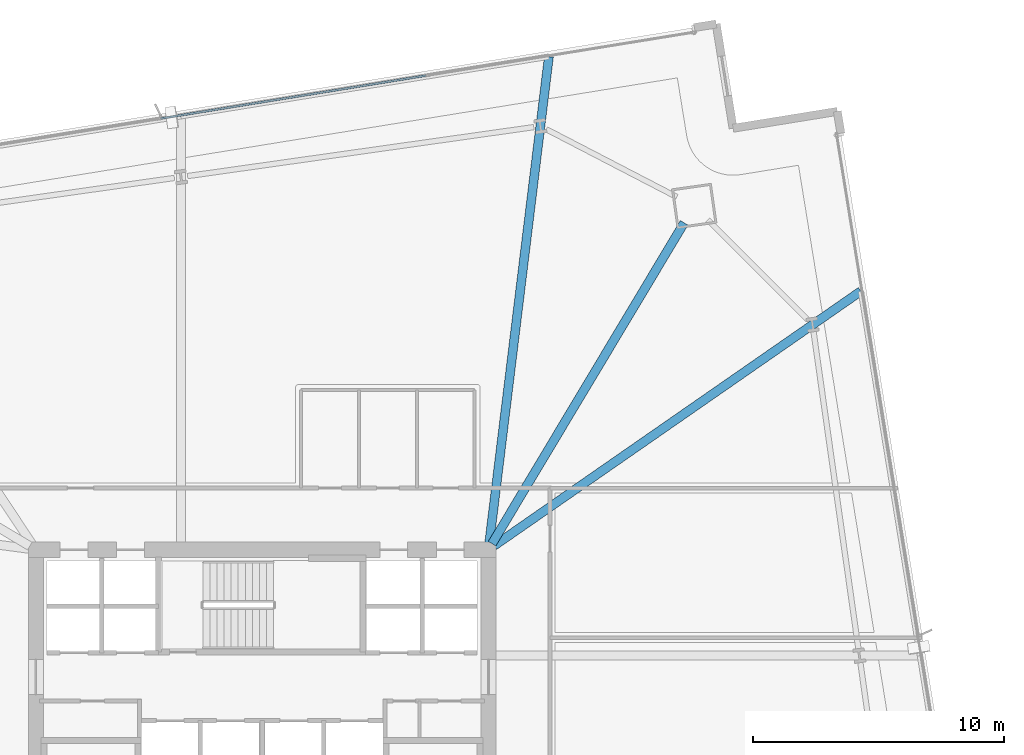
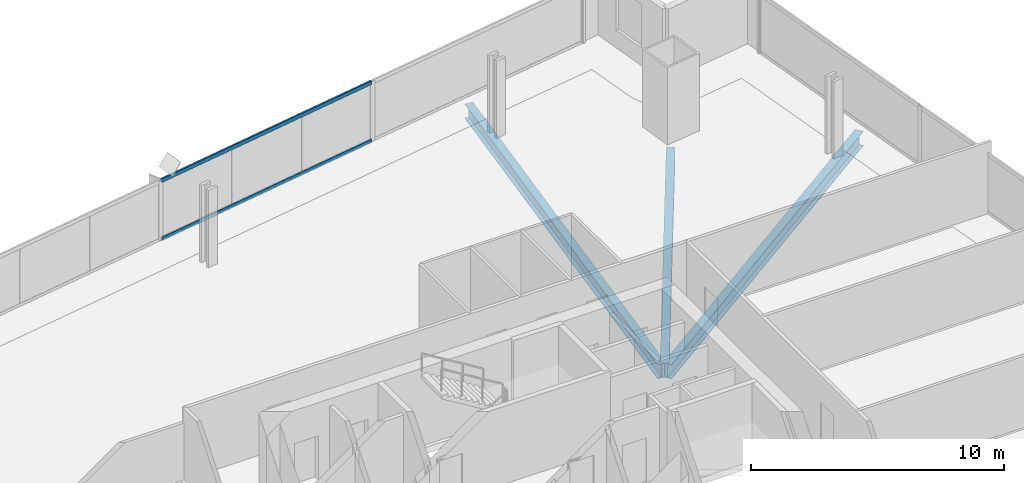
# One storey, part 20 of 33: 3 beams, 2 members, 1 element without a shape of its own.
"""IFC4 building model written with IfcOpenShell, lengths in metres."""

from ifc_helpers import new_model, si_unit, direction, frame, origin, origin_2d, place, context, subcontext, project, spatial, hollow_rectangle, i_section, extrude, material, material_profile, profile_set, type_object, element, aggregate, save


model = new_model("IFC4")

# Units and contexts
model_context = context("Model", 3, precision=1e-05, world=origin(), true_north=direction((0.0, 1.0)))
body_context = subcontext(model_context, "Body", "Model", "MODEL_VIEW")
ifc_project = project(units=[si_unit("LENGTHUNIT", "METRE"), si_unit("AREAUNIT", "SQUARE_METRE"), si_unit("VOLUMEUNIT", "CUBIC_METRE"), si_unit("PLANEANGLEUNIT", "RADIAN"), si_unit("MASSUNIT", "GRAM", prefix="KILO")], contexts=[model_context])

# Site, building, storey
site_placement = place(None, origin())
site = spatial("IfcSite", under=ifc_project, at=site_placement, CompositionType="ELEMENT")
building_placement = place(site_placement, origin())
building = spatial("IfcBuilding", under=site, at=building_placement, Name="Haldenkirk Collegiate Tower", CompositionType="ELEMENT")
storey_placement = place(building_placement, frame((0.0, 0.0, 58.949951171875)))
storey = spatial("IfcBuildingStorey", under=building, at=storey_placement, Name="L13", CompositionType="ELEMENT", Elevation=58.949951171875)

# Beams
ifc_material_1 = material(Name="Steel ASTM A992 Grade 50", Category="steel")
ifc_material_profile_1 = material_profile(ifc_material_1, i_section(OverallWidth=0.35498046875, OverallDepth=0.696044921875, WebThickness=0.015380859375, FlangeThickness=0.02490234375, at=origin_2d()), Name="W27X146")
ifc_profile_set_1 = profile_set([ifc_material_profile_1], Name="Steel ASTM A992 Grade 50")
beam_type = type_object("IfcBeamType", Name="BM-GIRDER-W27X146", PredefinedType="BEAM", material=ifc_profile_set_1)
beam_1_placement = place(storey_placement, frame((52.783935546875, 47.000732421875, -0.657958984375), z_axis=(-0.513696499257, -0.857971973115, 0.0), x_axis=(0.857971973115, -0.513696499257, 0.0)))
element("IfcBeam", 1, at=beam_1_placement, inside=storey, type_object=beam_type, Name="L13 primary floor girder 03", PredefinedType="BEAM", context=body_context, shape_type="SweptSolid", body=[
    extrude(i_section(OverallWidth=0.35498046875, OverallDepth=0.696044921875, WebThickness=0.015380859375, FlangeThickness=0.02490234375, at=origin_2d()), origin(), (0.0, 0.0, 1.0), 14.872802734375),
])
beam_2_placement = place(storey_placement, frame((59.813232421875, 44.281982421875, -0.657958984375), z_axis=(-0.821500421086, -0.570207907834, 0.0), x_axis=(0.570207907834, -0.821500421086, 0.0)))
element("IfcBeam", 2, at=beam_2_placement, inside=storey, type_object=beam_type, Name="L13 primary floor girder 10", PredefinedType="BEAM", context=body_context, shape_type="SweptSolid", body=[
    extrude(i_section(OverallWidth=0.35498046875, OverallDepth=0.696044921875, WebThickness=0.015380859375, FlangeThickness=0.02490234375, at=origin_2d()), origin(), (0.0, 0.0, 1.0), 17.751953125),
])
beam_3_placement = place(storey_placement, frame((47.40478515625, 53.608642578125, -0.657958984375), z_axis=(-0.121721657272, -0.992564274065, 0.0), x_axis=(0.992564274065, -0.121721657272, 0.0)))
element("IfcBeam", 3, at=beam_3_placement, inside=storey, type_object=beam_type, Name="L13 primary floor girder 11", PredefinedType="BEAM", context=body_context, shape_type="SweptSolid", body=[
    extrude(i_section(OverallWidth=0.35498046875, OverallDepth=0.696044921875, WebThickness=0.015380859375, FlangeThickness=0.02490234375, at=origin_2d()), origin(), (0.0, 0.0, 1.0), 19.4755859375),
])

# Curtain wall, members
ifc_material_2 = material(Name="Anodised architectural bronze aluminium", Category="aluminium")
curtain_wall_type = type_object("IfcCurtainWallType", Name="CW-SYS1-CONVEX-LOW", PredefinedType="USERDEFINED", material=ifc_material_2)
curtain_wall_placement = place(storey_placement, origin())
curtain_wall = element("IfcCurtainWall", 4, at=curtain_wall_placement, inside=storey, type_object=curtain_wall_type, Name="L13 Lower tower convex bronze-framed unitised curtain wall", ObjectType="UNITISED CURTAIN WALL", PredefinedType="USERDEFINED")
ifc_material_profile_2 = material_profile(ifc_material_2, hollow_rectangle(XDim=0.080078125, YDim=0.179931640625, WallThickness=0.0048828125, at=origin_2d()), Name="CW-TRN-1A")
ifc_profile_set_2 = profile_set([ifc_material_profile_2], Name="Anodised architectural bronze aluminium")
member_type = type_object("IfcMemberType", Name="CW-TRN-1A", PredefinedType="USERDEFINED", material=ifc_profile_set_2)
member_1_placement = place(storey_placement, frame((31.96728515625, 51.148681640625, 0.0400390625), z_axis=(0.987136263905, 0.159881194903, 0.0), x_axis=(-0.159881194903, 0.987136263905, 0.0)))
member_1 = element("IfcMember", 5, at=member_1_placement, type_object=member_type, Name="CW-1A transom 3.1", ObjectType="TRANSOM", PredefinedType="USERDEFINED", context=body_context, shape_type="SweptSolid", body=[
    extrude(hollow_rectangle(XDim=0.080078125, YDim=0.179931640625, WallThickness=0.0048828125, at=origin_2d()), origin(), (0.0, 0.0, 1.0), 10.6953125),
])
member_2_placement = place(storey_placement, frame((31.96728515625, 51.148681640625, 2.85107421875), z_axis=(0.987136263905, 0.159881194903, 0.0), x_axis=(-0.159881194903, 0.987136263905, 0.0)))
member_2 = element("IfcMember", 6, at=member_2_placement, type_object=member_type, Name="CW-1A transom 3.2", ObjectType="TRANSOM", PredefinedType="USERDEFINED", context=body_context, shape_type="SweptSolid", body=[
    extrude(hollow_rectangle(XDim=0.080078125, YDim=0.179931640625, WallThickness=0.0048828125, at=origin_2d()), origin(), (0.0, 0.0, 1.0), 10.6953125),
])
aggregate(curtain_wall, [member_1, member_2])

save(model, "model.ifc")
